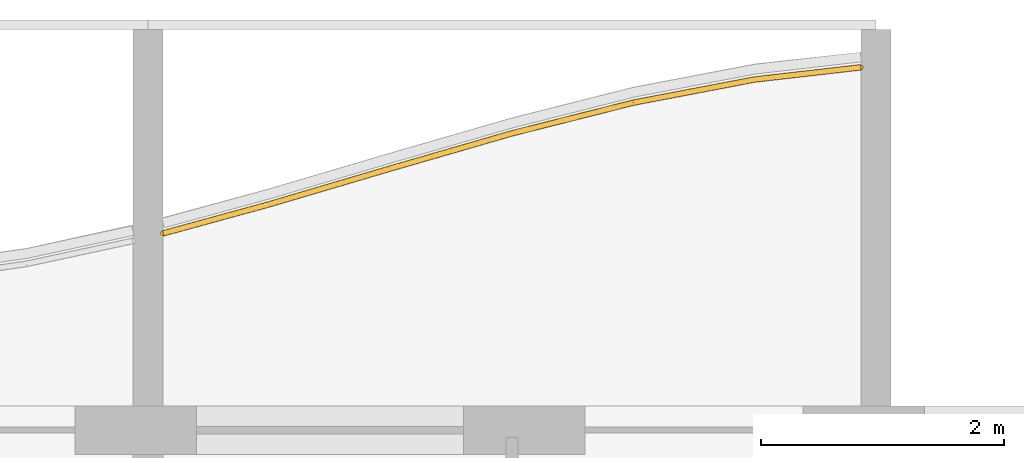
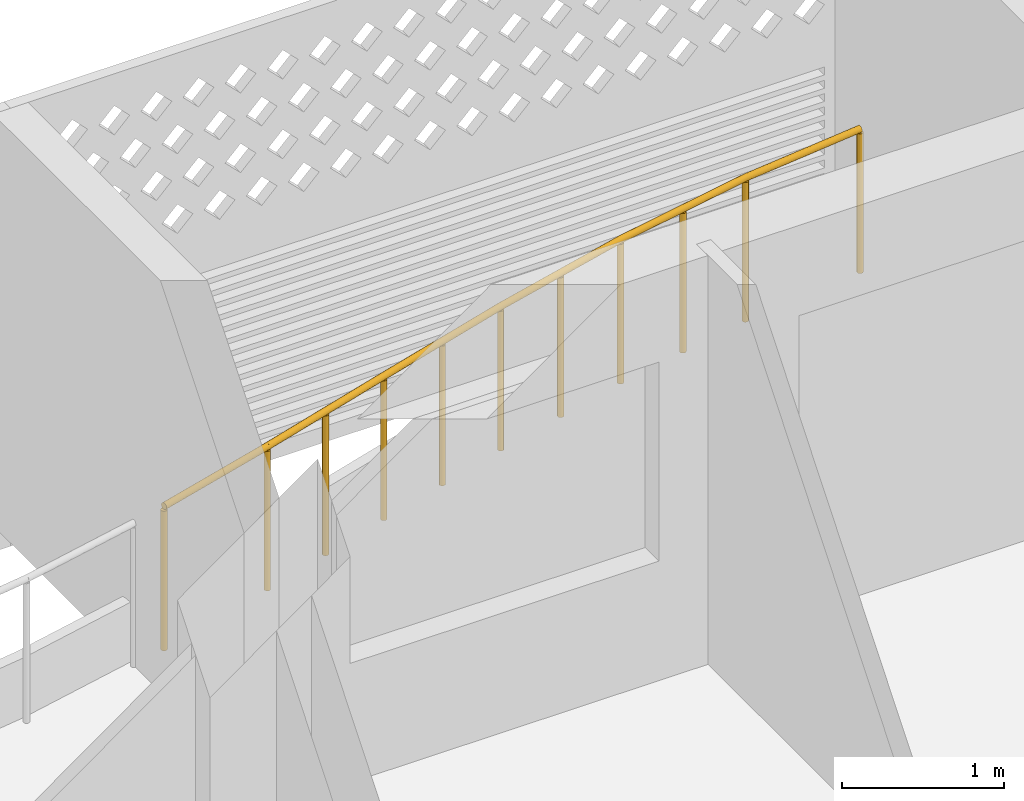
# One storey, part 21 of 26: 1 railing.
"""IFC4 building model written with IfcOpenShell, lengths in metres."""

from ifc_helpers import new_model, si_unit, direction, frame, origin, origin_2d, place, context, subcontext, project, spatial, circle, extrude, material, type_object, element, save


model = new_model("IFC4")

# Units and contexts
model_context = context("Model", 3, precision=1e-05, world=origin(), true_north=direction((0.0, 1.0)))
body_context = subcontext(model_context, "Body", "Model", "MODEL_VIEW")
ifc_project = project(units=[si_unit("LENGTHUNIT", "METRE"), si_unit("AREAUNIT", "SQUARE_METRE"), si_unit("VOLUMEUNIT", "CUBIC_METRE"), si_unit("PLANEANGLEUNIT", "RADIAN"), si_unit("MASSUNIT", "GRAM", prefix="KILO")], contexts=[model_context])

# Site, building, storey
site_placement = place(None, origin())
site = spatial("IfcSite", under=ifc_project, at=site_placement, CompositionType="ELEMENT")
building_placement = place(site_placement, origin())
building = spatial("IfcBuilding", under=site, at=building_placement, Name="Poui Terraces", CompositionType="ELEMENT")
storey_placement = place(building_placement, frame((0.0, 0.0, 175.199951171875)))
storey = spatial("IfcBuildingStorey", under=building, at=storey_placement, Name="L48", CompositionType="ELEMENT", Elevation=175.199951171875)

# Railing
ifc_material = material(Name="Painted steel fretwork", Category="steel")
railing_type = type_object("IfcRailingType", Name="BALCONY GUARD 1100", PredefinedType="GUARDRAIL", material=ifc_material)
railing_placement = place(storey_placement, frame((54.125, 42.82177734375, 0.0)))
element("IfcRailing", 1, at=railing_placement, inside=storey, type_object=railing_type, Name="BALCONY GUARD", PredefinedType="GUARDRAIL", context=body_context, shape_type="SweptSolid", body=[
    extrude(circle(Radius=0.02392578125, at=origin_2d()), frame((0.0, 0.0, 1.076171875), z_axis=(0.964452650042, 0.264255720519, 0.0), x_axis=(-0.264255720519, 0.964452650042, 0.0)), (0.0, 0.0, 1.0), 0.9072265625),
    extrude(circle(Radius=0.02392578125, at=origin_2d()), frame((0.875, 0.23974609375, 1.076171875), z_axis=(0.959029275123, 0.283306988012, 0.0), x_axis=(-0.283306988012, 0.959029275123, 0.0)), (0.0, 0.0, 1.0), 1.042724609375),
    extrude(circle(Radius=0.02392578125, at=origin_2d()), frame((1.875, 0.53515625, 1.076171875), z_axis=(0.960669700127, 0.277693585193, 0.0), x_axis=(-0.277693585193, 0.960669700127, 0.0)), (0.0, 0.0, 1.0), 1.041015625),
    extrude(circle(Radius=0.02392578125, at=origin_2d()), frame((2.875, 0.82421875, 1.076171875), z_axis=(0.969470524151, 0.245207876714, 0.0), x_axis=(-0.245207876714, 0.969470524151, 0.0)), (0.0, 0.0, 1.0), 1.031494140625),
    extrude(circle(Radius=0.02392578125, at=origin_2d()), frame((3.875, 1.0771484375, 1.076171875), z_axis=(0.982258715668, 0.187530838782, 0.0), x_axis=(-0.187530838782, 0.982258715668, 0.0)), (0.0, 0.0, 1.0), 1.01806640625),
    extrude(circle(Radius=0.02392578125, at=origin_2d()), frame((4.875, 1.26806640625, 1.076171875), z_axis=(0.99348881845, 0.113929660821, 0.0), x_axis=(-0.113929660821, 0.99348881845, 0.0)), (0.0, 0.0, 1.0), 0.880615234375),
    extrude(circle(Radius=0.02099609375, at=origin_2d()), origin(), (0.0, 0.0, 1.0), 1.052001953125),
    extrude(circle(Radius=0.02099609375, at=origin_2d()), frame((0.875, 0.23974609375, 0.0)), (0.0, 0.0, 1.0), 1.052001953125),
    extrude(circle(Radius=0.02099609375, at=origin_2d()), frame((1.375, 0.387451171875, 0.0)), (0.0, 0.0, 1.0), 1.052001953125),
    extrude(circle(Radius=0.02099609375, at=origin_2d()), frame((1.875, 0.53515625, 0.0)), (0.0, 0.0, 1.0), 1.052001953125),
    extrude(circle(Radius=0.02099609375, at=origin_2d()), frame((2.375, 0.6796875, 0.0)), (0.0, 0.0, 1.0), 1.052001953125),
    extrude(circle(Radius=0.02099609375, at=origin_2d()), frame((2.875, 0.82421875, 0.0)), (0.0, 0.0, 1.0), 1.052001953125),
    extrude(circle(Radius=0.02099609375, at=origin_2d()), frame((3.375, 0.95068359375, 0.0)), (0.0, 0.0, 1.0), 1.052001953125),
    extrude(circle(Radius=0.02099609375, at=origin_2d()), frame((3.875, 1.0771484375, 0.0)), (0.0, 0.0, 1.0), 1.052001953125),
    extrude(circle(Radius=0.02099609375, at=origin_2d()), frame((4.375, 1.172607421875, 0.0)), (0.0, 0.0, 1.0), 1.052001953125),
    extrude(circle(Radius=0.02099609375, at=origin_2d()), frame((4.875, 1.26806640625, 0.0)), (0.0, 0.0, 1.0), 1.052001953125),
    extrude(circle(Radius=0.02099609375, at=origin_2d()), frame((5.75, 1.368408203125, 0.0)), (0.0, 0.0, 1.0), 1.052001953125),
])

save(model, "model.ifc")
